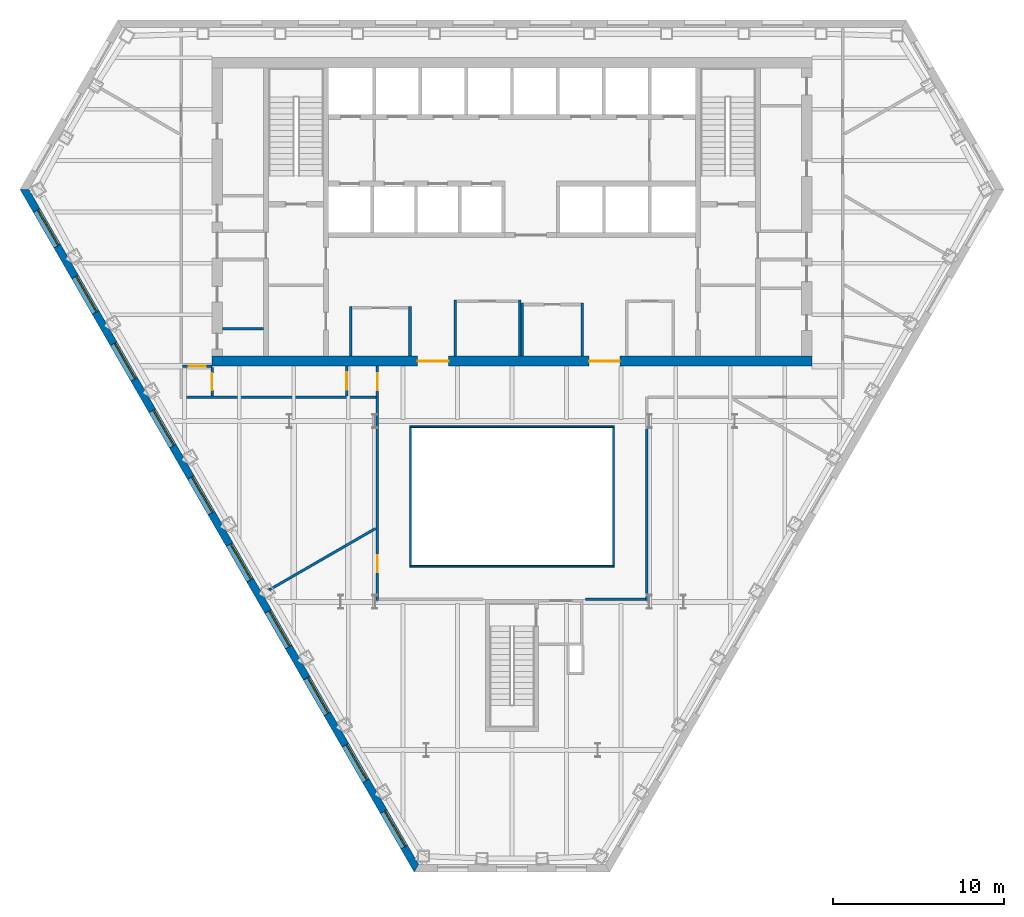
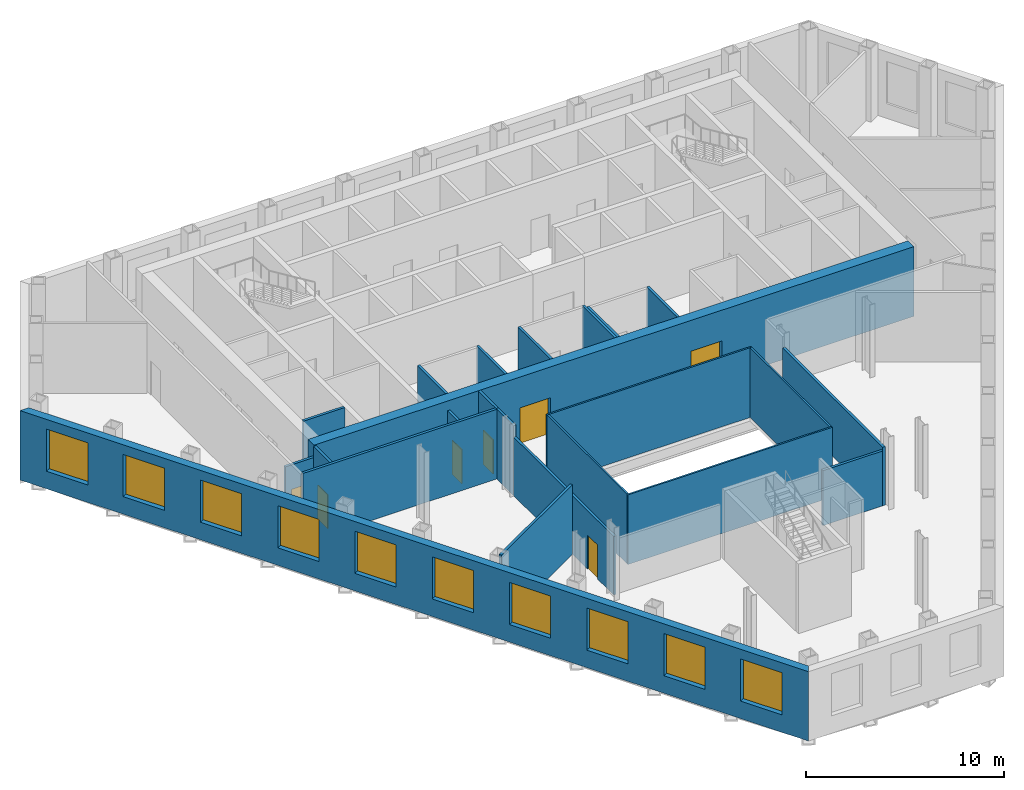
# One storey, part 5 of 11: 23 walls, 10 windows, 7 doors, 17 openings.
"""IFC4 building model written with IfcOpenShell, lengths in metres."""

from ifc_helpers import new_model, si_unit, direction, frame, frame_2d, origin, place, context, subcontext, project, spatial, polyline, rectangle, outline, extrude, material, layer, layer_set, type_object, element, fill, save


model = new_model("IFC4")

# Units and contexts
model_context = context("Model", 3, precision=1e-05, world=origin(), true_north=direction((0.0, 1.0)))
body_context = subcontext(model_context, "Body", "Model", "MODEL_VIEW")
ifc_project = project(units=[si_unit("LENGTHUNIT", "METRE"), si_unit("AREAUNIT", "SQUARE_METRE"), si_unit("VOLUMEUNIT", "CUBIC_METRE"), si_unit("PLANEANGLEUNIT", "RADIAN"), si_unit("MASSUNIT", "GRAM", prefix="KILO")], contexts=[model_context])

# Site, building, storey
site_placement = place(None, origin())
site = spatial("IfcSite", under=ifc_project, at=site_placement, CompositionType="ELEMENT")
building_placement = place(site_placement, origin())
building = spatial("IfcBuilding", under=site, at=building_placement, Name="Njiva Tower", CompositionType="ELEMENT")
storey_placement = place(building_placement, frame((0.0, 0.0, 46.8)))
storey = spatial("IfcBuildingStorey", under=building, at=storey_placement, Name="L09", CompositionType="ELEMENT", Elevation=46.8)

# Walls
ifc_material_1 = material(Name="Blockwork", Category="masonry")
ifc_layer_1 = layer(ifc_material_1, 0.15)
ifc_layer_set_1 = layer_set([ifc_layer_1], Name="Blockwork")
wall_type_1 = type_object("IfcWallType", Name="WT1 Compartment partition 150", PredefinedType="PARTITIONING", material=ifc_layer_set_1)
for number, where, z_axis, x_axis, name in (
    (1, (-9.4, 0.6, 0.0), (0.0, 0.0, 1.0), (0.0, 1.0, 0.0), "Waiting room wall west"),
    (2, (-5.95, 0.6, 0.0), (0.0, 0.0, 1.0), (0.0, 1.0, 0.0), "Waiting room wall east"),
):
    element("IfcWall", number, at=place(storey_placement, frame(where, z_axis=z_axis, x_axis=x_axis)), inside=storey, type_object=wall_type_1, Name=name, PredefinedType="PARTITIONING", context=body_context, shape_type="SweptSolid", body=[
        extrude(rectangle(XDim=2.875, YDim=0.15, at=frame_2d((1.4375, 0.0))), origin(), (0.0, 0.0, 1.0), 4.3),
    ])
for number, where, z_axis, x_axis, name in (
    (3, (-3.3, 0.6, 0.0), (0.0, 0.0, 1.0), (0.0, 1.0, 0.0), "First aid room wall west"),
    (4, (0.45, 0.6, 0.0), (0.0, 0.0, 1.0), (0.0, 1.0, 0.0), "First aid room wall east"),
):
    element("IfcWall", number, at=place(storey_placement, frame(where, z_axis=z_axis, x_axis=x_axis)), inside=storey, type_object=wall_type_1, Name=name, PredefinedType="PARTITIONING", context=body_context, shape_type="SweptSolid", body=[
        extrude(rectangle(XDim=3.275, YDim=0.15, at=frame_2d((1.6375, 0.0))), origin(), (0.0, 0.0, 1.0), 4.3),
    ])
for number, where, z_axis, x_axis, name in (
    (5, (0.6, 0.6, 0.0), (0.0, 0.0, 1.0), (0.0, 1.0, 0.0), "Parcel room wall west"),
    (6, (4.1, 0.6, 0.0), (0.0, 0.0, 1.0), (0.0, 1.0, 0.0), "Parcel room wall east"),
):
    element("IfcWall", number, at=place(storey_placement, frame(where, z_axis=z_axis, x_axis=x_axis)), inside=storey, type_object=wall_type_1, Name=name, PredefinedType="PARTITIONING", context=body_context, shape_type="SweptSolid", body=[
        extrude(rectangle(XDim=3.075, YDim=0.15, at=frame_2d((1.5375, 0.0))), origin(), (0.0, 0.0, 1.0), 4.3),
    ])

# Wall, openings, doors
ifc_material_2 = material(Name="Concrete C60/75", Category="concrete")
ifc_layer_2 = layer(ifc_material_2, 0.6)
ifc_layer_set_2 = layer_set([ifc_layer_2], Name="Concrete C60/75")
wall_type_2 = type_object("IfcWallType", Name="WT15 Core wall 600", PredefinedType="SHEAR", material=ifc_layer_set_2)
wall_1_placement = place(storey_placement, frame((-17.5, 0.3, 0.0), z_axis=(0.0, 0.0, 1.0), x_axis=(1.0, 0.0, 0.0)))
wall_1 = element("IfcWall", 7, at=wall_1_placement, inside=storey, type_object=wall_type_2, Name="Core wall south", PredefinedType="SHEAR", context=body_context, shape_type="SweptSolid", body=[
    extrude(rectangle(XDim=35.0, YDim=0.6, at=frame_2d((17.5, 0.0))), origin(), (0.0, 0.0, 1.0), 4.3),
])
opening_1_placement = place(wall_1_placement, frame((12.0, 0.0, 0.0)))
opening_1 = element("IfcOpeningElement", 8, at=opening_1_placement, cuts=wall_1, Name="Opening S03-D937", PredefinedType="OPENING", context=body_context, shape_type="SweptSolid", body=[
    extrude(rectangle(XDim=1.8, YDim=2.4, at=frame_2d((0.9, 1.2))), frame((0.0, 0.31, 0.0), z_axis=(0.0, -1.0, 0.0), x_axis=(1.0, 0.0, 0.0)), (0.0, 0.0, 1.0), 0.62),
])
opening_2_placement = place(wall_1_placement, frame((22.0, 0.0, 0.0)))
opening_2 = element("IfcOpeningElement", 9, at=opening_2_placement, cuts=wall_1, Name="Opening S03-D938", PredefinedType="OPENING", context=body_context, shape_type="SweptSolid", body=[
    extrude(rectangle(XDim=1.8, YDim=2.4, at=frame_2d((0.9, 1.2))), frame((0.0, 0.31, 0.0), z_axis=(0.0, -1.0, 0.0), x_axis=(1.0, 0.0, 0.0)), (0.0, 0.0, 1.0), 0.62),
])
ifc_material_3 = material(Name="Steel and glass door", Category="steel")
door_type_1 = type_object("IfcDoorType", Name="D3 Core entrance door 1800x2400", OperationType="DOUBLE_DOOR_SINGLE_SWING", PredefinedType="DOOR", material=ifc_material_3)
door_1_placement = place(opening_1_placement, origin())
door_1 = element("IfcDoor", 10, at=door_1_placement, inside=storey, type_object=door_type_1, Name="Core entrance door", OperationType="DOUBLE_DOOR_SINGLE_SWING", OverallHeight=2.4, OverallWidth=1.8, PredefinedType="DOOR", context=body_context, shape_type="SweptSolid", body=[
    extrude(rectangle(XDim=1.8, YDim=2.4, at=frame_2d((0.9, 1.2))), frame((0.0, 0.025, 0.0), z_axis=(0.0, -1.0, 0.0), x_axis=(1.0, 0.0, 0.0)), (0.0, 0.0, 1.0), 0.05),
])
fill(opening_1, door_1)
door_2_placement = place(opening_2_placement, origin())
door_2 = element("IfcDoor", 11, at=door_2_placement, inside=storey, type_object=door_type_1, Name="Core entrance door", OperationType="DOUBLE_DOOR_SINGLE_SWING", OverallHeight=2.4, OverallWidth=1.8, PredefinedType="DOOR", context=body_context, shape_type="SweptSolid", body=[
    extrude(rectangle(XDim=1.8, YDim=2.4, at=frame_2d((0.9, 1.2))), frame((0.0, 0.025, 0.0), z_axis=(0.0, -1.0, 0.0), x_axis=(1.0, 0.0, 0.0)), (0.0, 0.0, 1.0), 0.05),
])
fill(opening_2, door_2)

# Wall
ifc_material_4 = material(Name="Gypsum board on steel studs", Category="gypsum")
ifc_layer_3 = layer(ifc_material_4, 0.15)
ifc_layer_set_3 = layer_set([ifc_layer_3], Name="Gypsum board on steel studs")
wall_type_3 = type_object("IfcWallType", Name="WT21 Compartment wall 150", PredefinedType="PARTITIONING", material=ifc_layer_set_3)
wall_2_placement = place(storey_placement, frame((-19.225, -1.8, 0.0), z_axis=(0.0, 0.0, 1.0), x_axis=(1.0, 0.0, 0.0)))
element("IfcWall", 12, at=wall_2_placement, inside=storey, type_object=wall_type_3, Name="Partition S03-P003", PredefinedType="PARTITIONING", context=body_context, shape_type="SweptSolid", body=[
    extrude(rectangle(XDim=11.3, YDim=0.15, at=frame_2d((5.65, 0.0))), origin(), (0.0, 0.0, 1.0), 4.3),
])

# Wall, opening, door
wall_3_placement = place(storey_placement, frame((-19.225, 0.0, 0.0), z_axis=(0.0, 0.0, 1.0), x_axis=(1.0, 0.0, 0.0)))
wall_3 = element("IfcWall", 13, at=wall_3_placement, inside=storey, type_object=wall_type_3, Name="Partition S03-P004", PredefinedType="PARTITIONING", context=body_context, shape_type="SweptSolid", body=[
    extrude(rectangle(XDim=1.725, YDim=0.15, at=frame_2d((0.8625, 0.0))), origin(), (0.0, 0.0, 1.0), 3.61),
])
opening_3_placement = place(wall_3_placement, frame((0.363, 0.0, 0.0)))
opening_3 = element("IfcOpeningElement", 14, at=opening_3_placement, cuts=wall_3, Name="Opening S03-D003", PredefinedType="OPENING", context=body_context, shape_type="SweptSolid", body=[
    extrude(rectangle(XDim=1.0, YDim=2.1, at=frame_2d((0.5, 1.05))), frame((0.0, 0.085, 0.0), z_axis=(0.0, -1.0, 0.0), x_axis=(1.0, 0.0, 0.0)), (0.0, 0.0, 1.0), 0.17),
])
ifc_material_5 = material(Name="Steel fire door set", Category="steel")
door_type_2 = type_object("IfcDoorType", Name="D37 Fire door 1000x2100", OperationType="SINGLE_SWING_LEFT", PredefinedType="DOOR", material=ifc_material_5)
door_3_placement = place(opening_3_placement, origin())
door_3 = element("IfcDoor", 15, at=door_3_placement, inside=storey, type_object=door_type_2, Name="Door S03-D003", OperationType="SINGLE_SWING_LEFT", OverallHeight=2.1, OverallWidth=1.0, PredefinedType="DOOR", context=body_context, shape_type="SweptSolid", body=[
    extrude(rectangle(XDim=1.0, YDim=2.1, at=frame_2d((0.5, 1.05))), frame((0.0, 0.025, 0.0), z_axis=(0.0, -1.0, 0.0), x_axis=(1.0, 0.0, 0.0)), (0.0, 0.0, 1.0), 0.05),
])
fill(opening_3, door_3)

wall_4_placement = place(storey_placement, frame((-17.5, -1.725, 0.0), z_axis=(0.0, 0.0, 1.0), x_axis=(0.0, 1.0, 0.0)))
wall_4 = element("IfcWall", 16, at=wall_4_placement, inside=storey, type_object=wall_type_3, Name="Partition S03-P005", PredefinedType="PARTITIONING", context=body_context, shape_type="SweptSolid", body=[
    extrude(rectangle(XDim=1.65, YDim=0.15, at=frame_2d((0.825, 0.0))), origin(), (0.0, 0.0, 1.0), 4.3),
])
opening_4_placement = place(wall_4_placement, frame((0.325, 0.0, 0.0)))
opening_4 = element("IfcOpeningElement", 17, at=opening_4_placement, cuts=wall_4, Name="Opening S03-D004", PredefinedType="OPENING", context=body_context, shape_type="SweptSolid", body=[
    extrude(rectangle(XDim=1.0, YDim=2.1, at=frame_2d((0.5, 1.05))), frame((0.0, 0.085, 0.0), z_axis=(0.0, -1.0, 0.0), x_axis=(1.0, 0.0, 0.0)), (0.0, 0.0, 1.0), 0.17),
])
door_4_placement = place(opening_4_placement, origin())
door_4 = element("IfcDoor", 18, at=door_4_placement, inside=storey, type_object=door_type_2, Name="Door S03-D004", OperationType="SINGLE_SWING_LEFT", OverallHeight=2.1, OverallWidth=1.0, PredefinedType="DOOR", context=body_context, shape_type="SweptSolid", body=[
    extrude(rectangle(XDim=1.0, YDim=2.1, at=frame_2d((0.5, 1.05))), frame((0.0, 0.025, 0.0), z_axis=(0.0, -1.0, 0.0), x_axis=(1.0, 0.0, 0.0)), (0.0, 0.0, 1.0), 0.05),
])
fill(opening_4, door_4)

# Wall
wall_5_placement = place(storey_placement, frame((-14.172, -13.053, 0.0), z_axis=(0.0, 0.0, 1.0), x_axis=(0.866046247233, 0.49996389635, 0.0)))
element("IfcWall", 19, at=wall_5_placement, inside=storey, type_object=wall_type_3, Name="Partition S03-P006", PredefinedType="PARTITIONING", context=body_context, shape_type="SweptSolid", body=[
    extrude(rectangle(XDim=7.1705, YDim=0.15, at=frame_2d((3.5852, 0.0))), origin(), (0.0, 0.0, 1.0), 4.3),
])

# Wall, opening, door
wall_6_placement = place(storey_placement, frame((-9.65, -1.725, 0.0), z_axis=(0.0, 0.0, 1.0), x_axis=(0.0, 1.0, 0.0)))
wall_6 = element("IfcWall", 20, at=wall_6_placement, inside=storey, type_object=wall_type_3, Name="Partition S03-P007", PredefinedType="PARTITIONING", context=body_context, shape_type="SweptSolid", body=[
    extrude(rectangle(XDim=1.725, YDim=0.15, at=frame_2d((0.8625, 0.0))), origin(), (0.0, 0.0, 1.0), 3.7),
])
opening_5_placement = place(wall_6_placement, frame((0.363, 0.0, 0.0)))
opening_5 = element("IfcOpeningElement", 21, at=opening_5_placement, cuts=wall_6, Name="Opening S03-D005", PredefinedType="OPENING", context=body_context, shape_type="SweptSolid", body=[
    extrude(rectangle(XDim=1.0, YDim=2.1, at=frame_2d((0.5, 1.05))), frame((0.0, 0.085, 0.0), z_axis=(0.0, -1.0, 0.0), x_axis=(1.0, 0.0, 0.0)), (0.0, 0.0, 1.0), 0.17),
])
door_5_placement = place(opening_5_placement, origin())
door_5 = element("IfcDoor", 22, at=door_5_placement, inside=storey, type_object=door_type_2, Name="Door S03-D005", OperationType="SINGLE_SWING_LEFT", OverallHeight=2.1, OverallWidth=1.0, PredefinedType="DOOR", context=body_context, shape_type="SweptSolid", body=[
    extrude(rectangle(XDim=1.0, YDim=2.1, at=frame_2d((0.5, 1.05))), frame((0.0, 0.025, 0.0), z_axis=(0.0, -1.0, 0.0), x_axis=(1.0, 0.0, 0.0)), (0.0, 0.0, 1.0), 0.05),
])
fill(opening_5, door_5)

wall_7_placement = place(storey_placement, frame((-7.85, -13.675, 0.0), z_axis=(0.0, 0.0, 1.0), x_axis=(0.0, 1.0, 0.0)))
wall_7 = element("IfcWall", 23, at=wall_7_placement, inside=storey, type_object=wall_type_3, Name="Partition S03-P008", PredefinedType="PARTITIONING", context=body_context, shape_type="SweptSolid", body=[
    extrude(rectangle(XDim=10.118, YDim=0.15, at=frame_2d((5.059, 0.0))), origin(), (0.0, 0.0, 1.0), 3.61),
])
opening_6_placement = place(wall_7_placement, frame((1.646, 0.0, 0.0)))
opening_6 = element("IfcOpeningElement", 24, at=opening_6_placement, cuts=wall_7, Name="Opening S03-D006", PredefinedType="OPENING", context=body_context, shape_type="SweptSolid", body=[
    extrude(rectangle(XDim=1.0, YDim=2.1, at=frame_2d((0.5, 1.05))), frame((0.0, 0.085, 0.0), z_axis=(0.0, -1.0, 0.0), x_axis=(1.0, 0.0, 0.0)), (0.0, 0.0, 1.0), 0.17),
])
door_6_placement = place(opening_6_placement, origin())
door_6 = element("IfcDoor", 25, at=door_6_placement, inside=storey, type_object=door_type_2, Name="Door S03-D006", OperationType="SINGLE_SWING_RIGHT", OverallHeight=2.1, OverallWidth=1.0, PredefinedType="DOOR", context=body_context, shape_type="SweptSolid", body=[
    extrude(rectangle(XDim=1.0, YDim=2.1, at=frame_2d((0.5, 1.05))), frame((0.0, 0.025, 0.0), z_axis=(0.0, -1.0, 0.0), x_axis=(1.0, 0.0, 0.0)), (0.0, 0.0, 1.0), 0.05),
])
fill(opening_6, door_6)

# Wall
wall_8_placement = place(storey_placement, frame((-7.85, -3.557, 0.0), z_axis=(0.0, 0.0, 1.0), x_axis=(0.0, 1.0, 0.0)))
element("IfcWall", 26, at=wall_8_placement, inside=storey, type_object=wall_type_3, Name="Partition S03-P008A", PredefinedType="PARTITIONING", context=body_context, shape_type="SweptSolid", body=[
    extrude(rectangle(XDim=1.754, YDim=0.15, at=frame_2d((0.877, 0.0))), origin(), (0.0, 0.0, 1.0), 4.3),
])

# Wall, opening, door
wall_9_placement = place(storey_placement, frame((-7.85, -1.8, 0.0), z_axis=(0.0, 0.0, 1.0), x_axis=(0.0, 1.0, 0.0)))
wall_9 = element("IfcWall", 27, at=wall_9_placement, inside=storey, type_object=wall_type_3, Name="Partition S03-P009", PredefinedType="PARTITIONING", context=body_context, shape_type="SweptSolid", body=[
    extrude(rectangle(XDim=1.8, YDim=0.15, at=frame_2d((0.9, 0.0))), origin(), (0.0, 0.0, 1.0), 4.3),
])
opening_7_placement = place(wall_9_placement, frame((0.4, 0.0, 0.0)))
opening_7 = element("IfcOpeningElement", 28, at=opening_7_placement, cuts=wall_9, Name="Opening S03-D007", PredefinedType="OPENING", context=body_context, shape_type="SweptSolid", body=[
    extrude(rectangle(XDim=1.0, YDim=2.1, at=frame_2d((0.5, 1.05))), frame((0.0, 0.085, 0.0), z_axis=(0.0, -1.0, 0.0), x_axis=(1.0, 0.0, 0.0)), (0.0, 0.0, 1.0), 0.17),
])
door_7_placement = place(opening_7_placement, origin())
door_7 = element("IfcDoor", 29, at=door_7_placement, inside=storey, type_object=door_type_2, Name="Door S03-D007", OperationType="SINGLE_SWING_LEFT", OverallHeight=2.1, OverallWidth=1.0, PredefinedType="DOOR", context=body_context, shape_type="SweptSolid", body=[
    extrude(rectangle(XDim=1.0, YDim=2.1, at=frame_2d((0.5, 1.05))), frame((0.0, 0.025, 0.0), z_axis=(0.0, -1.0, 0.0), x_axis=(1.0, 0.0, 0.0)), (0.0, 0.0, 1.0), 0.05),
])
fill(opening_7, door_7)

# Walls
wall_10_placement = place(storey_placement, frame((4.3, -13.6, 0.0), z_axis=(0.0, 0.0, 1.0), x_axis=(1.0, 0.0, 0.0)))
element("IfcWall", 30, at=wall_10_placement, inside=storey, type_object=wall_type_3, Name="Partition S03-P011", PredefinedType="PARTITIONING", context=body_context, shape_type="SweptSolid", body=[
    extrude(rectangle(XDim=3.475, YDim=0.15, at=frame_2d((1.7375, 0.0))), origin(), (0.0, 0.0, 1.0), 3.39),
])
wall_11_placement = place(storey_placement, frame((7.85, -13.675, 0.0), z_axis=(0.0, 0.0, 1.0), x_axis=(0.0, 1.0, 0.0)))
element("IfcWall", 31, at=wall_11_placement, inside=storey, type_object=wall_type_3, Name="Partition S03-P012", PredefinedType="PARTITIONING", context=body_context, shape_type="SweptSolid", body=[
    extrude(rectangle(XDim=10.118, YDim=0.15, at=frame_2d((5.059, 0.0))), origin(), (0.0, 0.0, 1.0), 3.61),
])
ifc_layer_4 = layer(ifc_material_1, 0.15)
ifc_layer_set_4 = layer_set([ifc_layer_4], Name="Blockwork")
wall_type_4 = type_object("IfcWallType", Name="WT3 Riser partition 150", PredefinedType="PARTITIONING", material=ifc_layer_set_4)
wall_12_placement = place(storey_placement, frame((-16.9, 2.175, 0.0), z_axis=(0.0, 0.0, 1.0), x_axis=(1.0, 0.0, 0.0)))
element("IfcWall", 32, at=wall_12_placement, inside=storey, type_object=wall_type_4, Name="Partition strip W00", PredefinedType="PARTITIONING", context=body_context, shape_type="SweptSolid", body=[
    extrude(rectangle(XDim=2.4, YDim=0.15, at=frame_2d((1.2, 0.0))), origin(), (0.0, 0.0, 1.0), 4.3),
])

# Wall, openings, windows
ifc_material_6 = material(Name="Brick masonry", Category="masonry")
ifc_layer_5 = layer(ifc_material_6, 0.45)
ifc_layer_set_5 = layer_set([ifc_layer_5], Name="Brick masonry")
wall_type_5 = type_object("IfcWallType", Name="WT90 Brick pier and spandrel wall 450", PredefinedType="SOLIDWALL", material=ifc_layer_set_5)
wall_13_placement = place(storey_placement, frame((-28.4452, 10.3187, -0.18), z_axis=(0.0, 0.0, 1.0), x_axis=(0.499999764979, -0.866025539474, 0.0)))
wall_13 = element("IfcWall", 33, at=wall_13_placement, inside=storey, type_object=wall_type_5, Name="Facade wall SW", PredefinedType="SOLIDWALL", context=body_context, shape_type="SweptSolid", body=[
    extrude(outline(polyline([(-0.1299, -0.225), (45.8701, -0.225), (45.6103, 0.225), (0.1299, 0.225), (-0.1299, -0.225)])), origin(), (0.0, 0.0, 1.0), 4.28),
])
opening_8_placement = place(wall_13_placement, frame((1.4242, 0.0, 1.08)))
opening_8 = element("IfcOpeningElement", 34, at=opening_8_placement, cuts=wall_13, Name="Opening S03-W12", PredefinedType="OPENING", context=body_context, shape_type="SweptSolid", body=[
    extrude(rectangle(XDim=2.4, YDim=2.6, at=frame_2d((1.2, 1.3))), frame((0.0, 0.235, 0.0), z_axis=(0.0, -1.0, 0.0), x_axis=(1.0, 0.0, 0.0)), (0.0, 0.0, 1.0), 0.47),
])
opening_9_placement = place(wall_13_placement, frame((5.8934, 0.0, 1.08)))
opening_9 = element("IfcOpeningElement", 35, at=opening_9_placement, cuts=wall_13, Name="Opening S03-W13", PredefinedType="OPENING", context=body_context, shape_type="SweptSolid", body=[
    extrude(rectangle(XDim=2.4, YDim=2.6, at=frame_2d((1.2, 1.3))), frame((0.0, 0.235, 0.0), z_axis=(0.0, -1.0, 0.0), x_axis=(1.0, 0.0, 0.0)), (0.0, 0.0, 1.0), 0.47),
])
opening_10_placement = place(wall_13_placement, frame((10.401, 0.0, 1.08)))
opening_10 = element("IfcOpeningElement", 36, at=opening_10_placement, cuts=wall_13, Name="Opening S03-W14", PredefinedType="OPENING", context=body_context, shape_type="SweptSolid", body=[
    extrude(rectangle(XDim=2.4, YDim=2.6, at=frame_2d((1.2, 1.3))), frame((0.0, 0.235, 0.0), z_axis=(0.0, -1.0, 0.0), x_axis=(1.0, 0.0, 0.0)), (0.0, 0.0, 1.0), 0.47),
])
opening_11_placement = place(wall_13_placement, frame((14.9087, 0.0, 1.08)))
opening_11 = element("IfcOpeningElement", 37, at=opening_11_placement, cuts=wall_13, Name="Opening S03-W15", PredefinedType="OPENING", context=body_context, shape_type="SweptSolid", body=[
    extrude(rectangle(XDim=2.4, YDim=2.6, at=frame_2d((1.2, 1.3))), frame((0.0, 0.235, 0.0), z_axis=(0.0, -1.0, 0.0), x_axis=(1.0, 0.0, 0.0)), (0.0, 0.0, 1.0), 0.47),
])
opening_12_placement = place(wall_13_placement, frame((19.4163, 0.0, 1.08)))
opening_12 = element("IfcOpeningElement", 38, at=opening_12_placement, cuts=wall_13, Name="Opening S03-W16", PredefinedType="OPENING", context=body_context, shape_type="SweptSolid", body=[
    extrude(rectangle(XDim=2.4, YDim=2.6, at=frame_2d((1.2, 1.3))), frame((0.0, 0.235, 0.0), z_axis=(0.0, -1.0, 0.0), x_axis=(1.0, 0.0, 0.0)), (0.0, 0.0, 1.0), 0.47),
])
opening_13_placement = place(wall_13_placement, frame((23.9239, 0.0, 1.08)))
opening_13 = element("IfcOpeningElement", 39, at=opening_13_placement, cuts=wall_13, Name="Opening S03-W17", PredefinedType="OPENING", context=body_context, shape_type="SweptSolid", body=[
    extrude(rectangle(XDim=2.4, YDim=2.6, at=frame_2d((1.2, 1.3))), frame((0.0, 0.235, 0.0), z_axis=(0.0, -1.0, 0.0), x_axis=(1.0, 0.0, 0.0)), (0.0, 0.0, 1.0), 0.47),
])
opening_14_placement = place(wall_13_placement, frame((28.4315, 0.0, 1.08)))
opening_14 = element("IfcOpeningElement", 40, at=opening_14_placement, cuts=wall_13, Name="Opening S03-W18", PredefinedType="OPENING", context=body_context, shape_type="SweptSolid", body=[
    extrude(rectangle(XDim=2.4, YDim=2.6, at=frame_2d((1.2, 1.3))), frame((0.0, 0.235, 0.0), z_axis=(0.0, -1.0, 0.0), x_axis=(1.0, 0.0, 0.0)), (0.0, 0.0, 1.0), 0.47),
])
opening_15_placement = place(wall_13_placement, frame((32.9391, 0.0, 1.08)))
opening_15 = element("IfcOpeningElement", 41, at=opening_15_placement, cuts=wall_13, Name="Opening S03-W19", PredefinedType="OPENING", context=body_context, shape_type="SweptSolid", body=[
    extrude(rectangle(XDim=2.4, YDim=2.6, at=frame_2d((1.2, 1.3))), frame((0.0, 0.235, 0.0), z_axis=(0.0, -1.0, 0.0), x_axis=(1.0, 0.0, 0.0)), (0.0, 0.0, 1.0), 0.47),
])
opening_16_placement = place(wall_13_placement, frame((37.4468, 0.0, 1.08)))
opening_16 = element("IfcOpeningElement", 42, at=opening_16_placement, cuts=wall_13, Name="Opening S03-W20", PredefinedType="OPENING", context=body_context, shape_type="SweptSolid", body=[
    extrude(rectangle(XDim=2.4, YDim=2.6, at=frame_2d((1.2, 1.3))), frame((0.0, 0.235, 0.0), z_axis=(0.0, -1.0, 0.0), x_axis=(1.0, 0.0, 0.0)), (0.0, 0.0, 1.0), 0.47),
])
opening_17_placement = place(wall_13_placement, frame((41.916, 0.0, 1.08)))
opening_17 = element("IfcOpeningElement", 43, at=opening_17_placement, cuts=wall_13, Name="Opening S03-W21", PredefinedType="OPENING", context=body_context, shape_type="SweptSolid", body=[
    extrude(rectangle(XDim=2.4, YDim=2.6, at=frame_2d((1.2, 1.3))), frame((0.0, 0.235, 0.0), z_axis=(0.0, -1.0, 0.0), x_axis=(1.0, 0.0, 0.0)), (0.0, 0.0, 1.0), 0.47),
])
ifc_material_7 = material(Name="Clear glazing in aluminium frame", Category="aluminium")
window_type = type_object("IfcWindowType", Name="W92 Deep-set window 2400x2600", PartitioningType="SINGLE_PANEL", PredefinedType="WINDOW", material=ifc_material_7)
window_1_placement = place(opening_8_placement, origin())
window_1 = element("IfcWindow", 44, at=window_1_placement, inside=storey, type_object=window_type, Name="Window", OverallHeight=2.6, OverallWidth=2.4, PartitioningType="SINGLE_PANEL", PredefinedType="WINDOW", context=body_context, shape_type="SweptSolid", body=[
    extrude(rectangle(XDim=2.4, YDim=2.6, at=frame_2d((1.2, 1.3))), frame((0.0, 0.105, 0.0), z_axis=(0.0, -1.0, 0.0), x_axis=(1.0, 0.0, 0.0)), (0.0, 0.0, 1.0), 0.06),
])
fill(opening_8, window_1)
window_2_placement = place(opening_9_placement, origin())
window_2 = element("IfcWindow", 45, at=window_2_placement, inside=storey, type_object=window_type, Name="Window", OverallHeight=2.6, OverallWidth=2.4, PartitioningType="SINGLE_PANEL", PredefinedType="WINDOW", context=body_context, shape_type="SweptSolid", body=[
    extrude(rectangle(XDim=2.4, YDim=2.6, at=frame_2d((1.2, 1.3))), frame((0.0, 0.105, 0.0), z_axis=(0.0, -1.0, 0.0), x_axis=(1.0, 0.0, 0.0)), (0.0, 0.0, 1.0), 0.06),
])
fill(opening_9, window_2)
window_3_placement = place(opening_10_placement, origin())
window_3 = element("IfcWindow", 46, at=window_3_placement, inside=storey, type_object=window_type, Name="Window", OverallHeight=2.6, OverallWidth=2.4, PartitioningType="SINGLE_PANEL", PredefinedType="WINDOW", context=body_context, shape_type="SweptSolid", body=[
    extrude(rectangle(XDim=2.4, YDim=2.6, at=frame_2d((1.2, 1.3))), frame((0.0, 0.105, 0.0), z_axis=(0.0, -1.0, 0.0), x_axis=(1.0, 0.0, 0.0)), (0.0, 0.0, 1.0), 0.06),
])
fill(opening_10, window_3)
window_4_placement = place(opening_11_placement, origin())
window_4 = element("IfcWindow", 47, at=window_4_placement, inside=storey, type_object=window_type, Name="Window", OverallHeight=2.6, OverallWidth=2.4, PartitioningType="SINGLE_PANEL", PredefinedType="WINDOW", context=body_context, shape_type="SweptSolid", body=[
    extrude(rectangle(XDim=2.4, YDim=2.6, at=frame_2d((1.2, 1.3))), frame((0.0, 0.105, 0.0), z_axis=(0.0, -1.0, 0.0), x_axis=(1.0, 0.0, 0.0)), (0.0, 0.0, 1.0), 0.06),
])
fill(opening_11, window_4)
window_5_placement = place(opening_12_placement, origin())
window_5 = element("IfcWindow", 48, at=window_5_placement, inside=storey, type_object=window_type, Name="Window", OverallHeight=2.6, OverallWidth=2.4, PartitioningType="SINGLE_PANEL", PredefinedType="WINDOW", context=body_context, shape_type="SweptSolid", body=[
    extrude(rectangle(XDim=2.4, YDim=2.6, at=frame_2d((1.2, 1.3))), frame((0.0, 0.105, 0.0), z_axis=(0.0, -1.0, 0.0), x_axis=(1.0, 0.0, 0.0)), (0.0, 0.0, 1.0), 0.06),
])
fill(opening_12, window_5)
window_6_placement = place(opening_13_placement, origin())
window_6 = element("IfcWindow", 49, at=window_6_placement, inside=storey, type_object=window_type, Name="Window", OverallHeight=2.6, OverallWidth=2.4, PartitioningType="SINGLE_PANEL", PredefinedType="WINDOW", context=body_context, shape_type="SweptSolid", body=[
    extrude(rectangle(XDim=2.4, YDim=2.6, at=frame_2d((1.2, 1.3))), frame((0.0, 0.105, 0.0), z_axis=(0.0, -1.0, 0.0), x_axis=(1.0, 0.0, 0.0)), (0.0, 0.0, 1.0), 0.06),
])
fill(opening_13, window_6)
window_7_placement = place(opening_14_placement, origin())
window_7 = element("IfcWindow", 50, at=window_7_placement, inside=storey, type_object=window_type, Name="Window", OverallHeight=2.6, OverallWidth=2.4, PartitioningType="SINGLE_PANEL", PredefinedType="WINDOW", context=body_context, shape_type="SweptSolid", body=[
    extrude(rectangle(XDim=2.4, YDim=2.6, at=frame_2d((1.2, 1.3))), frame((0.0, 0.105, 0.0), z_axis=(0.0, -1.0, 0.0), x_axis=(1.0, 0.0, 0.0)), (0.0, 0.0, 1.0), 0.06),
])
fill(opening_14, window_7)
window_8_placement = place(opening_15_placement, origin())
window_8 = element("IfcWindow", 51, at=window_8_placement, inside=storey, type_object=window_type, Name="Window", OverallHeight=2.6, OverallWidth=2.4, PartitioningType="SINGLE_PANEL", PredefinedType="WINDOW", context=body_context, shape_type="SweptSolid", body=[
    extrude(rectangle(XDim=2.4, YDim=2.6, at=frame_2d((1.2, 1.3))), frame((0.0, 0.105, 0.0), z_axis=(0.0, -1.0, 0.0), x_axis=(1.0, 0.0, 0.0)), (0.0, 0.0, 1.0), 0.06),
])
fill(opening_15, window_8)
window_9_placement = place(opening_16_placement, origin())
window_9 = element("IfcWindow", 52, at=window_9_placement, inside=storey, type_object=window_type, Name="Window", OverallHeight=2.6, OverallWidth=2.4, PartitioningType="SINGLE_PANEL", PredefinedType="WINDOW", context=body_context, shape_type="SweptSolid", body=[
    extrude(rectangle(XDim=2.4, YDim=2.6, at=frame_2d((1.2, 1.3))), frame((0.0, 0.105, 0.0), z_axis=(0.0, -1.0, 0.0), x_axis=(1.0, 0.0, 0.0)), (0.0, 0.0, 1.0), 0.06),
])
fill(opening_16, window_9)
window_10_placement = place(opening_17_placement, origin())
window_10 = element("IfcWindow", 53, at=window_10_placement, inside=storey, type_object=window_type, Name="Window", OverallHeight=2.6, OverallWidth=2.4, PartitioningType="SINGLE_PANEL", PredefinedType="WINDOW", context=body_context, shape_type="SweptSolid", body=[
    extrude(rectangle(XDim=2.4, YDim=2.6, at=frame_2d((1.2, 1.3))), frame((0.0, 0.105, 0.0), z_axis=(0.0, -1.0, 0.0), x_axis=(1.0, 0.0, 0.0)), (0.0, 0.0, 1.0), 0.06),
])
fill(opening_17, window_10)

# Walls
ifc_material_8 = material(Name="Fire-resisting glazing EI 90", Category="glass")
ifc_layer_6 = layer(ifc_material_8, 0.1)
ifc_layer_set_6 = layer_set([ifc_layer_6], Name="Fire-resisting glazing EI 90")
wall_type_6 = type_object("IfcWallType", Name="WT95 Fire-resisting glazed screen EI 90", PredefinedType="PARTITIONING", material=ifc_layer_set_6)
wall_14_placement = place(storey_placement, frame((-5.97, -11.67, 0.0), z_axis=(0.0, 0.0, 1.0), x_axis=(1.0, 0.0, 0.0)))
element("IfcWall", 54, at=wall_14_placement, inside=storey, type_object=wall_type_6, Name="Atrium fire screen south", PredefinedType="PARTITIONING", context=body_context, shape_type="SweptSolid", body=[
    extrude(rectangle(XDim=11.94, YDim=0.1, at=frame_2d((5.97, 0.0))), origin(), (0.0, 0.0, 1.0), 4.3),
])
wall_15_placement = place(storey_placement, frame((5.92, -11.62, 0.0), z_axis=(0.0, 0.0, 1.0), x_axis=(0.0, 1.0, 0.0)))
element("IfcWall", 55, at=wall_15_placement, inside=storey, type_object=wall_type_6, Name="Atrium fire screen east", PredefinedType="PARTITIONING", context=body_context, shape_type="SweptSolid", body=[
    extrude(rectangle(XDim=8.04, YDim=0.1, at=frame_2d((4.02, 0.0))), origin(), (0.0, 0.0, 1.0), 4.3),
])
wall_16_placement = place(storey_placement, frame((5.97, -3.53, 0.0), z_axis=(0.0, 0.0, 1.0), x_axis=(-1.0, 0.0, 0.0)))
element("IfcWall", 56, at=wall_16_placement, inside=storey, type_object=wall_type_6, Name="Atrium fire screen north", PredefinedType="PARTITIONING", context=body_context, shape_type="SweptSolid", body=[
    extrude(rectangle(XDim=11.94, YDim=0.1, at=frame_2d((5.97, 0.0))), origin(), (0.0, 0.0, 1.0), 4.3),
])
wall_17_placement = place(storey_placement, frame((-5.92, -3.58, 0.0), z_axis=(0.0, 0.0, 1.0), x_axis=(0.0, -1.0, 0.0)))
element("IfcWall", 57, at=wall_17_placement, inside=storey, type_object=wall_type_6, Name="Atrium fire screen west", PredefinedType="PARTITIONING", context=body_context, shape_type="SweptSolid", body=[
    extrude(rectangle(XDim=8.04, YDim=0.1, at=frame_2d((4.02, 0.0))), origin(), (0.0, 0.0, 1.0), 4.3),
])

save(model, "model.ifc")
